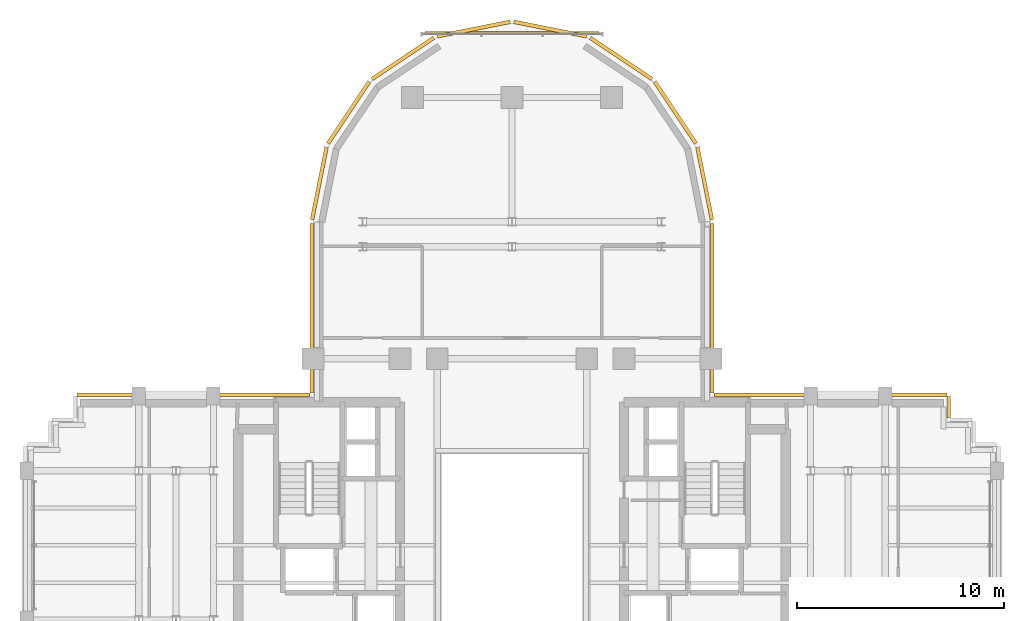
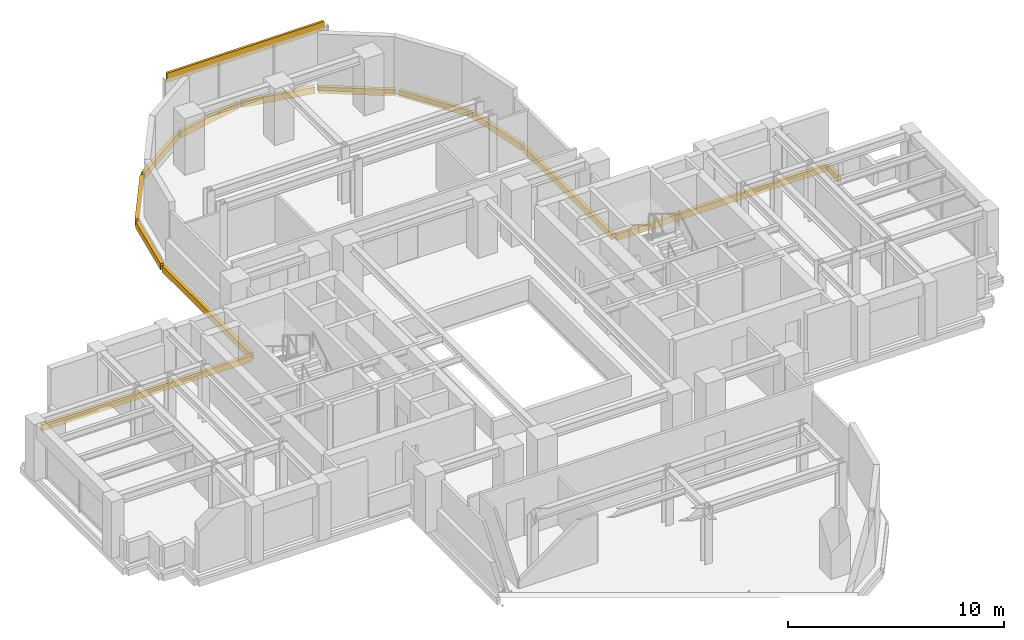
# One storey, part 13 of 13: 14 coverings.
"""IFC4 building model written with IfcOpenShell, lengths in metres."""

from ifc_helpers import new_model, si_unit, direction, frame, origin, origin_2d, place, context, subcontext, project, spatial, rectangle, extrude, source, transform, mapped, material, layer, layer_set, type_object, element, save


model = new_model("IFC4")

# Units and contexts
model_context = context("Model", 3, precision=1e-05, world=origin(), true_north=direction((0.0, 1.0)))
body_context = subcontext(model_context, "Body", "Model", "MODEL_VIEW")
ifc_project = project(units=[si_unit("LENGTHUNIT", "METRE"), si_unit("AREAUNIT", "SQUARE_METRE"), si_unit("VOLUMEUNIT", "CUBIC_METRE"), si_unit("PLANEANGLEUNIT", "RADIAN"), si_unit("MASSUNIT", "GRAM", prefix="KILO")], contexts=[model_context])

# Site, building, storey
site_placement = place(None, origin())
site = spatial("IfcSite", under=ifc_project, at=site_placement, CompositionType="ELEMENT")
building_placement = place(site_placement, origin())
building = spatial("IfcBuilding", under=site, at=building_placement, Name="Keilestroom Media Tower", CompositionType="ELEMENT")
storey_placement = place(building_placement, frame((0.0, 0.0, 138.0)))
storey = spatial("IfcBuildingStorey", under=building, at=storey_placement, Name="L37", CompositionType="ELEMENT", Elevation=138.0)

# Coverings
ifc_material = material(Name="Precast concrete C40/50", Category="concrete")
ifc_layer = layer(ifc_material, 0.1201171875)
ifc_layer_set = layer_set([ifc_layer], Name="Precast concrete C40/50")
covering_type = type_object("IfcCoveringType", Name="Exterior-Precast-Spandrel-Cladding-Panel-120", PredefinedType="CLADDING", material=ifc_layer_set)
shared_shape_1 = source(origin(), body_context, "Body", "SweptSolid", [
    extrude(rectangle(XDim=8.39990234375, YDim=0.1201171875, at=origin_2d()), origin(), (0.0, 0.0, 1.0), 0.52001953125),
])
covering_1_placement = place(storey_placement, frame((0.0, 24.719970703125, 2.68994140625), z_axis=(0.0, 0.0, 1.0), x_axis=(1.0, 0.0, 0.0)))
element("IfcCovering", 1, at=covering_1_placement, inside=storey, type_object=covering_type, Name="L37 Precast Spandrel Cladding N", PredefinedType="CLADDING", context=body_context, shape_type="MappedRepresentation", body=[
    mapped(shared_shape_1, transform((0.0, 0.0, 0.0), x_axis=(1.0, 0.0, 0.0), y_axis=(0.0, 1.0, 0.0), z_axis=(0.0, 0.0, 1.0), scale=1.0)),
])
shared_shape_2 = source(origin(), body_context, "Body", "SweptSolid", [
    extrude(rectangle(XDim=1.02001953125, YDim=0.179931640625, at=origin_2d()), origin(), (0.0, 0.0, 1.0), 0.360107421875),
])
covering_2_placement = place(storey_placement, frame((21.06005859375, 6.659912109375, -0.5400390625), z_axis=(0.0, 0.0, 1.0), x_axis=(0.0, -1.0, 0.0)))
element("IfcCovering", 2, at=covering_2_placement, inside=storey, type_object=covering_type, Name="L37 Precast Slab-Edge Fascia Cornice 38", PredefinedType="CLADDING", context=body_context, shape_type="MappedRepresentation", body=[
    mapped(shared_shape_2, transform((0.0, 0.0, 0.0), x_axis=(1.0, 0.0, 0.0), y_axis=(0.0, 1.0, 0.0), z_axis=(0.0, 0.0, 1.0), scale=1.0)),
])
shared_shape_3 = source(origin(), body_context, "Body", "SweptSolid", [
    extrude(rectangle(XDim=8.166015625, YDim=0.179931640625, at=origin_2d()), origin(), (0.0, 0.0, 1.0), 0.360107421875),
])
for number, where, z_axis, x_axis, name in (
    (3, (-9.659912109375, 11.43310546875, -0.5400390625), (0.0, 0.0, 1.0), (0.0, 1.0, 0.0), "L37 Precast Slab-Edge Fascia Cornice 27"),
    (4, (9.659912109375, 11.43310546875, -0.5400390625), (0.0, 0.0, 1.0), (0.0, -1.0, 0.0), "L37 Precast Slab-Edge Fascia Cornice 36"),
):
    element("IfcCovering", number, at=place(storey_placement, frame(where, z_axis=z_axis, x_axis=x_axis)), inside=storey, type_object=covering_type, Name=name, PredefinedType="CLADDING", context=body_context, shape_type="MappedRepresentation", body=[
        mapped(shared_shape_3, transform((0.0, 0.0, 0.0), x_axis=(1.0, 0.0, 0.0), y_axis=(0.0, 1.0, 0.0), z_axis=(0.0, 0.0, 1.0), scale=1.0)),
    ])
shared_shape_4 = source(origin(), body_context, "Body", "SweptSolid", [
    extrude(rectangle(XDim=3.58349609375, YDim=0.179931640625, at=origin_2d()), origin(), (0.0, 0.0, 1.0), 0.360107421875),
])
for number, where, z_axis, x_axis, name in (
    (5, (-9.29296875, 17.45166015625, -0.5400390625), (0.0, 0.0, 1.0), (0.195098880975, 0.980783577882, 0.0), "L37 Precast Slab-Edge Fascia Cornice 28"),
    (6, (9.29296875, 17.45166015625, -0.5400390625), (0.0, 0.0, 1.0), (0.195098880975, -0.980783577882, 0.0), "L37 Precast Slab-Edge Fascia Cornice 35"),
):
    element("IfcCovering", number, at=place(storey_placement, frame(where, z_axis=z_axis, x_axis=x_axis)), inside=storey, type_object=covering_type, Name=name, PredefinedType="CLADDING", context=body_context, shape_type="MappedRepresentation", body=[
        mapped(shared_shape_4, transform((0.0, 0.0, 0.0), x_axis=(1.0, 0.0, 0.0), y_axis=(0.0, 1.0, 0.0), z_axis=(0.0, 0.0, 1.0), scale=1.0)),
    ])
shared_shape_5 = source(origin(), body_context, "Body", "SweptSolid", [
    extrude(rectangle(XDim=3.589599609375, YDim=0.179931640625, at=origin_2d()), origin(), (0.0, 0.0, 1.0), 0.360107421875),
])
for number, where, z_axis, x_axis, name in (
    (7, (-7.878662109375, 20.8642578125, -0.5400390625), (0.0, 0.0, 1.0), (0.555574586577, 0.831466703332, 0.0), "L37 Precast Slab-Edge Fascia Cornice 29"),
    (8, (-5.264404296875, 23.478515625, -0.5400390625), (0.0, 0.0, 1.0), (0.831466703332, 0.555574586577, 0.0), "L37 Precast Slab-Edge Fascia Cornice 30"),
    (9, (-1.8486328125, 24.893310546875, -0.5400390625), (0.0, 0.0, 1.0), (0.980783577882, 0.195098880975, 0.0), "L37 Precast Slab-Edge Fascia Cornice 31"),
    (10, (1.8486328125, 24.893310546875, -0.5400390625), (0.0, 0.0, 1.0), (0.980783577882, -0.195098880975, 0.0), "L37 Precast Slab-Edge Fascia Cornice 32"),
    (11, (5.264404296875, 23.478515625, -0.5400390625), (0.0, 0.0, 1.0), (0.831466703332, -0.555574586577, 0.0), "L37 Precast Slab-Edge Fascia Cornice 33"),
    (12, (7.878662109375, 20.8642578125, -0.5400390625), (0.0, 0.0, 1.0), (0.555574586577, -0.831466703332, 0.0), "L37 Precast Slab-Edge Fascia Cornice 34"),
):
    element("IfcCovering", number, at=place(storey_placement, frame(where, z_axis=z_axis, x_axis=x_axis)), inside=storey, type_object=covering_type, Name=name, PredefinedType="CLADDING", context=body_context, shape_type="MappedRepresentation", body=[
        mapped(shared_shape_5, transform((0.0, 0.0, 0.0), x_axis=(1.0, 0.0, 0.0), y_axis=(0.0, 1.0, 0.0), z_axis=(0.0, 0.0, 1.0), scale=1.0)),
    ])
shared_shape_6 = source(origin(), body_context, "Body", "SweptSolid", [
    extrude(rectangle(XDim=11.219970703125, YDim=0.179931640625, at=origin_2d()), origin(), (0.0, 0.0, 1.0), 0.360107421875),
])
for number, where, z_axis, x_axis, name in (
    (13, (-15.360107421875, 7.260009765625, -0.5400390625), (0.0, 0.0, 1.0), (1.0, 0.0, 0.0), "L37 Precast Slab-Edge Fascia Cornice 26"),
    (14, (15.360107421875, 7.260009765625, -0.5400390625), (0.0, 0.0, 1.0), (1.0, 0.0, 0.0), "L37 Precast Slab-Edge Fascia Cornice 37"),
):
    element("IfcCovering", number, at=place(storey_placement, frame(where, z_axis=z_axis, x_axis=x_axis)), inside=storey, type_object=covering_type, Name=name, PredefinedType="CLADDING", context=body_context, shape_type="MappedRepresentation", body=[
        mapped(shared_shape_6, transform((0.0, 0.0, 0.0), x_axis=(1.0, 0.0, 0.0), y_axis=(0.0, 1.0, 0.0), z_axis=(0.0, 0.0, 1.0), scale=1.0)),
    ])

save(model, "model.ifc")
